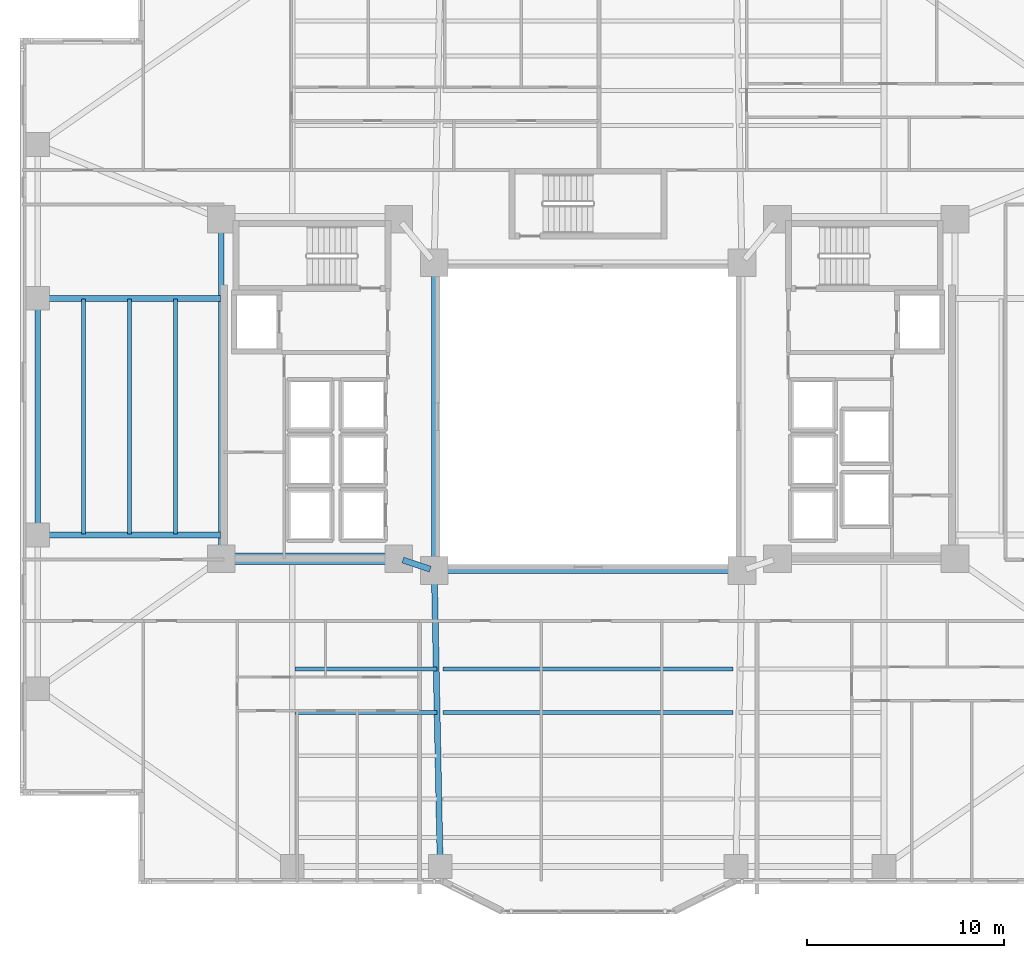
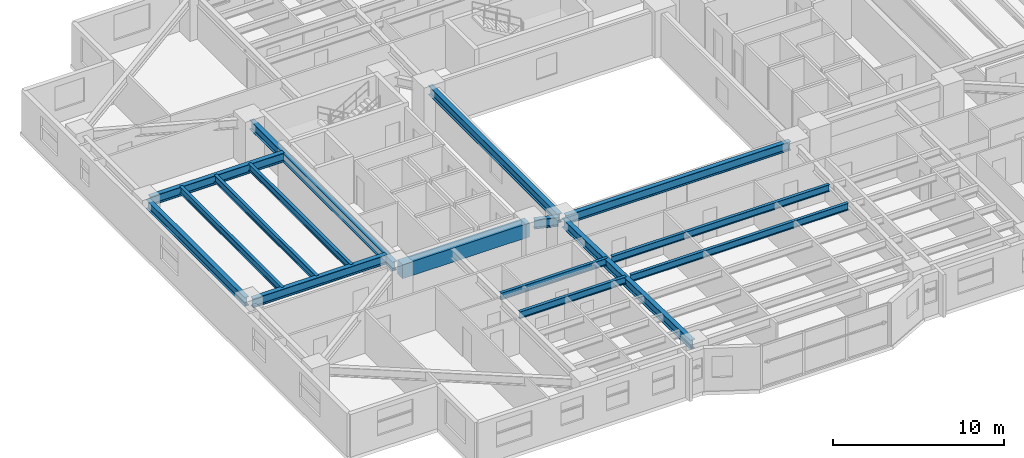
# One storey, part 3 of 20: 16 beams.
"""IFC4 building model written with IfcOpenShell, lengths in metres."""

import ifcopenshell
import ifcopenshell.guid

model = None  # the IFC model being written
_history = None  # IfcOwnerHistory: only IFC2X3 demands one
_inside = {}  # id of a spatial element -> (the spatial element, [elements in it])
_under = {}  # id of a project, library or spatial element -> (it, [spatial elements below it])
_declared = {}  # id of a project -> (the project, [libraries it declares])
_typed = {}  # id of a type object -> (the type object, [elements of that type])
_made_of = {}  # id of a material, layer set ... -> (it, [elements and type objects made of it])


def new_model(schema):
    """Start an empty IFC model of exactly this schema.

    Asked for "IFC4X3", IfcOpenShell would pick the latest addendum, in which some entities
    have other attributes; the version numbers below select the first issue.
    IFC2X3 requires an IfcOwnerHistory on every rooted entity: one is made here for all.
    """
    global model, _history
    if schema == "IFC4X3":
        model = ifcopenshell.file(schema_version=(4, 3, 0, 0))
    else:
        model = ifcopenshell.file(schema=schema)
    _inside.clear()
    _under.clear()
    _declared.clear()
    _typed.clear()
    _made_of.clear()
    _history = None
    if model.schema == "IFC2X3":
        org = make("IfcOrganization", Name="unknown")
        user = make(
            "IfcPersonAndOrganization",
            ThePerson=make("IfcPerson", FamilyName="unknown"),
            TheOrganization=org,
        )
        app = make(
            "IfcApplication",
            ApplicationDeveloper=org,
            Version="unknown",
            ApplicationFullName="unknown",
            ApplicationIdentifier="unknown",
        )
        _history = make(
            "IfcOwnerHistory",
            OwningUser=user,
            OwningApplication=app,
            ChangeAction="ADDED",
            CreationDate=0,
        )
    return model


def make(cls, **values):
    """One entity of the class cls with the attributes given. An attribute that is None is left unset."""
    return model.create_entity(
        cls, **{name: value for name, value in values.items() if value is not None}
    )


def rooted(cls, **values):
    """An entity with a GlobalId (a new one), such as an element, a storey or a relation."""
    return make(cls, GlobalId=ifcopenshell.guid.new(), OwnerHistory=_history, **values)


def si_unit(unit_type, name, prefix=None):
    """IfcSIUnit, for example si_unit("LENGTHUNIT", "METRE", prefix="MILLI")."""
    return make("IfcSIUnit", UnitType=unit_type, Prefix=prefix, Name=name)


def assignment(units):
    """IfcUnitAssignment: the units of a project."""
    return None if units is None else make("IfcUnitAssignment", Units=units)


def point(xyz):
    """IfcCartesianPoint."""
    return None if xyz is None else make("IfcCartesianPoint", Coordinates=xyz)


def direction(xyz):
    """IfcDirection."""
    return None if xyz is None else make("IfcDirection", DirectionRatios=xyz)


def frame(location, z_axis=None, x_axis=None):
    """IfcAxis2Placement3D, a coordinate frame: its origin and axes. An axis left out is left unset."""
    return make(
        "IfcAxis2Placement3D",
        Location=point(location),
        Axis=direction(z_axis),
        RefDirection=direction(x_axis),
    )


def frame_2d(location, x_axis=None):
    """IfcAxis2Placement2D, a coordinate frame in the plane: its origin and x axis."""
    return make(
        "IfcAxis2Placement2D", Location=point(location), RefDirection=direction(x_axis)
    )


def origin():
    """The frame at (0, 0, 0) with its axes left unset."""
    return frame((0.0, 0.0, 0.0))


def origin_2d():
    """The frame at (0, 0) in the plane with its x axis left unset."""
    return frame_2d((0.0, 0.0))


def place(relative_to, where):
    """IfcLocalPlacement: puts the frame where relative to a parent placement (None: the world)."""
    return make(
        "IfcLocalPlacement", PlacementRelTo=relative_to, RelativePlacement=where
    )


def context(
    kind, dimensions, precision=None, world=None, true_north=None, identifier=None
):
    """IfcGeometricRepresentationContext, for example the 3D "Model" context."""
    return make(
        "IfcGeometricRepresentationContext",
        ContextIdentifier=identifier,
        ContextType=kind,
        CoordinateSpaceDimension=dimensions,
        Precision=precision,
        WorldCoordinateSystem=world,
        TrueNorth=true_north,
    )


def subcontext(parent, identifier, kind, view, scale=None):
    """IfcGeometricRepresentationSubContext, for example "Body" below "Model"."""
    return make(
        "IfcGeometricRepresentationSubContext",
        ContextIdentifier=identifier,
        ContextType=kind,
        ParentContext=parent,
        TargetScale=scale,
        TargetView=view,
    )


def project(units=None, contexts=None):
    """IfcProject with its units and contexts."""
    return rooted(
        "IfcProject",
        Name="project",
        RepresentationContexts=contexts,
        UnitsInContext=assignment(units),
    )


def spatial(cls, under=None, at=None, **own):
    """A site, building, storey or space (cls), placed at a placement, below another one or the project."""
    s = rooted(cls, ObjectPlacement=at, **own)
    if under is not None:
        _under.setdefault(under.id(), (under, []))[1].append(s)
    return s


def profile(cls, at=None, kind="AREA", **sizes):
    """A parametric profile (cls). Its sizes go by their IFC names, for example OverallWidth=200.0."""
    return make(cls, ProfileType=kind, Position=at, **sizes)


def rectangle(**sizes):
    """IfcRectangleProfileDef."""
    return profile("IfcRectangleProfileDef", **sizes)


def i_section(**sizes):
    """IfcIShapeProfileDef."""
    return profile("IfcIShapeProfileDef", **sizes)


def extrude(swept, where, along, depth):
    """IfcExtrudedAreaSolid: the profile swept, set in the frame where, extruded along a direction by depth."""
    return make(
        "IfcExtrudedAreaSolid",
        SweptArea=swept,
        Position=where,
        ExtrudedDirection=direction(along),
        Depth=depth,
    )


def shape(context_of_items, identifier, shape_type, items):
    """IfcShapeRepresentation: the items that make up one representation, for example the "Body"."""
    return make(
        "IfcShapeRepresentation",
        ContextOfItems=context_of_items,
        RepresentationIdentifier=identifier,
        RepresentationType=shape_type,
        Items=items,
    )


def material(Name=None, Category=None):
    """IfcMaterial."""
    return make("IfcMaterial", Name=Name, Category=Category)


def material_profile(
    of_material, cross_section, Name=None, Category=None, Priority=None
):
    """IfcMaterialProfile: a cross section and its material."""
    return make(
        "IfcMaterialProfile",
        Name=Name,
        Material=of_material,
        Profile=cross_section,
        Priority=Priority,
        Category=Category,
    )


def profile_set(profiles, Name=None, composite=None):
    """IfcMaterialProfileSet."""
    return make(
        "IfcMaterialProfileSet",
        Name=Name,
        MaterialProfiles=profiles,
        CompositeProfile=composite,
    )


def made_of(thing, what):
    """Note that an element or type object is made of a material, layer set ...; save() writes the relation."""
    if what is not None:
        _made_of.setdefault(what.id(), (what, []))[1].append(thing)
    return thing


def type_object(cls, material=None, **own):
    """A type object (cls), such as IfcWallType, which elements share."""
    return made_of(rooted(cls, **own), material)


def element(
    cls,
    number,
    at=None,
    inside=None,
    cuts=None,
    type_object=None,
    material=None,
    context=None,
    identifier="Body",
    shape_type=None,
    held_by="IfcProductDefinitionShape",
    body=None,
    shapes=None,
    **own,
):
    """One element of the class cls, such as IfcWall. Its Tag is "e" and its number.

    at: its placement. inside: the storey or other place that contains it. cuts: it is an
    opening in that element (IfcRelVoidsElement). A single representation is given by context,
    identifier, shape_type and body (its items); several are given by shapes. held_by: the class
    of the entity that holds the representations. save() writes the other relations.
    """
    e = rooted(cls, Tag="e%d" % number, ObjectPlacement=at, **own)
    if body is not None:
        shapes = [shape(context, identifier, shape_type, body)]
    if shapes is not None:
        e.Representation = make(held_by, Representations=shapes)
    if inside is not None:
        _inside.setdefault(inside.id(), (inside, []))[1].append(e)
    if cuts is not None:
        rooted(
            "IfcRelVoidsElement", RelatingBuildingElement=cuts, RelatedOpeningElement=e
        )
    if type_object is not None:
        _typed.setdefault(type_object.id(), (type_object, []))[1].append(e)
    return made_of(e, material)


def aggregate(whole, parts):
    """IfcRelAggregates: a whole, such as a stair, and the parts it consists of."""
    return rooted("IfcRelAggregates", RelatingObject=whole, RelatedObjects=parts)


def save(model, path):
    """Write the relations noted so far, then the file.

    IfcRelAggregates (storeys below a building ...), IfcRelContainedInSpatialStructure (elements
    in a storey), IfcRelDefinesByType, IfcRelAssociatesMaterial and IfcRelDeclares: one each for
    every whole, place, type object, material and project.
    """
    for whole, parts in _under.values():
        aggregate(whole, parts)
    for where, things in _inside.values():
        rooted(
            "IfcRelContainedInSpatialStructure",
            RelatedElements=things,
            RelatingStructure=where,
        )
    for kind, things in _typed.values():
        rooted("IfcRelDefinesByType", RelatedObjects=things, RelatingType=kind)
    for what, things in _made_of.values():
        rooted("IfcRelAssociatesMaterial", RelatedObjects=things, RelatingMaterial=what)
    for by, libraries in _declared.values():
        rooted("IfcRelDeclares", RelatingContext=by, RelatedDefinitions=libraries)
    model.write(path)


model = new_model("IFC4")

# Units and contexts
model_context = context("Model", 3, precision=1e-05, world=origin(), true_north=direction((0.0, 1.0)))
body_context = subcontext(model_context, "Body", "Model", "MODEL_VIEW")
ifc_project = project(units=[si_unit("LENGTHUNIT", "METRE"), si_unit("AREAUNIT", "SQUARE_METRE"), si_unit("VOLUMEUNIT", "CUBIC_METRE"), si_unit("PLANEANGLEUNIT", "RADIAN"), si_unit("MASSUNIT", "GRAM", prefix="KILO")], contexts=[model_context])

# Site, building, storey
site_placement = place(None, origin())
site = spatial("IfcSite", under=ifc_project, at=site_placement, CompositionType="ELEMENT")
building_placement = place(site_placement, origin())
building = spatial("IfcBuilding", under=site, at=building_placement, Name="Tarnavaz Court Tower", CompositionType="ELEMENT")
storey_placement = place(building_placement, frame((0.0, 0.0, 60.85009765625)))
storey = spatial("IfcBuildingStorey", under=building, at=storey_placement, Name="L16", CompositionType="ELEMENT", Elevation=60.85009765625)

# Beams
ifc_material_1 = material(Name="Concrete C60/75", Category="concrete")
ifc_material_profile_1 = material_profile(ifc_material_1, rectangle(XDim=0.60009765625, YDim=1.0, at=origin_2d()), Name="RC 600X1000")
ifc_profile_set_1 = profile_set([ifc_material_profile_1], Name="Concrete C60/75")
beam_type_1 = type_object("IfcBeamType", Name="BM-CB1000", PredefinedType="LINTEL", material=ifc_profile_set_1)
beam_1_placement = place(storey_placement, frame((-18.3798828125, -7.199951171875, 2.5498046875), z_axis=(1.0, 0.0, 0.0), x_axis=(0.0, 1.0, 0.0)))
element("IfcBeam", 1, at=beam_1_placement, inside=storey, type_object=beam_type_1, Name="L16 Beam IN-CW-SO-CW-SI", PredefinedType="LINTEL", context=body_context, shape_type="SweptSolid", body=[
    extrude(rectangle(XDim=0.60009765625, YDim=1.0, at=origin_2d()), origin(), (0.0, 0.0, 1.0), 8.559814453125),
])
ifc_material_2 = material(Name="Steel S355", Category="steel")
ifc_material_profile_2 = material_profile(ifc_material_2, i_section(OverallWidth=0.300048828125, OverallDepth=0.64990234375, WebThickness=0.01611328125, FlangeThickness=0.031005859375, FilletRadius=0.027099609375, at=origin_2d()), Name="HEB 650")
ifc_profile_set_2 = profile_set([ifc_material_profile_2], Name="Steel S355")
beam_type_2 = type_object("IfcBeamType", Name="BM-G-HEB650", PredefinedType="USERDEFINED", material=ifc_profile_set_2)
beam_2_placement = place(storey_placement, frame((-9.391357421875, -7.26953125, 2.724853515625), z_axis=(0.948666544706, -0.316278021615, 0.0), x_axis=(0.316278021615, 0.948666544706, 0.0)))
element("IfcBeam", 2, at=beam_2_placement, inside=storey, type_object=beam_type_2, Name="L16 Beam IN-CW-SI-IW-SW", ObjectType="GIRDER", PredefinedType="USERDEFINED", context=body_context, shape_type="SweptSolid", body=[
    extrude(i_section(OverallWidth=0.300048828125, OverallDepth=0.64990234375, WebThickness=0.01611328125, FlangeThickness=0.031005859375, FilletRadius=0.027099609375, at=origin_2d()), origin(), (0.0, 0.0, 1.0), 1.457275390625),
])
beam_3_placement = place(storey_placement, frame((-18.60009765625, -6.97998046875, 2.724853515625), z_axis=(0.0, 1.0, 0.0), x_axis=(-1.0, 0.0, 0.0)))
element("IfcBeam", 3, at=beam_3_placement, inside=storey, type_object=beam_type_2, Name="L16 Beam IN-CW-SO-CW-NO", ObjectType="GIRDER", PredefinedType="USERDEFINED", context=body_context, shape_type="SweptSolid", body=[
    extrude(i_section(OverallWidth=0.300048828125, OverallDepth=0.64990234375, WebThickness=0.01611328125, FlangeThickness=0.031005859375, FilletRadius=0.027099609375, at=origin_2d()), origin(), (0.0, 0.0, 1.0), 16.760009765625),
])
beam_4_placement = place(storey_placement, frame((-7.795654296875, -8.02001953125, 2.724853515625), z_axis=(0.020000023066, -0.999799979535, 0.0), x_axis=(0.999799979535, 0.020000023066, 0.0)))
element("IfcBeam", 4, at=beam_4_placement, inside=storey, type_object=beam_type_2, Name="L16 Beam RG-06", ObjectType="GIRDER", PredefinedType="USERDEFINED", context=body_context, shape_type="SweptSolid", body=[
    extrude(i_section(OverallWidth=0.300048828125, OverallDepth=0.64990234375, WebThickness=0.01611328125, FlangeThickness=0.031005859375, FilletRadius=0.027099609375, at=origin_2d()), origin(), (0.0, 0.0, 1.0), 14.56298828125),
])
for number, where, z_axis, x_axis, name in (
    (5, (-18.639892578125, -6.0, 2.724853515625), (-1.0, 0.0, 0.0), (0.0, -1.0, 0.0), "L16 Beam RG-13"),
    (6, (-18.639892578125, 6.0, 2.724853515625), (-1.0, 0.0, 0.0), (0.0, -1.0, 0.0), "L16 Beam RG-14"),
):
    element("IfcBeam", number, at=place(storey_placement, frame(where, z_axis=z_axis, x_axis=x_axis)), inside=storey, type_object=beam_type_2, Name=name, ObjectType="GIRDER", PredefinedType="USERDEFINED", context=body_context, shape_type="SweptSolid", body=[
        extrude(i_section(OverallWidth=0.300048828125, OverallDepth=0.64990234375, WebThickness=0.01611328125, FlangeThickness=0.031005859375, FilletRadius=0.027099609375, at=origin_2d()), origin(), (0.0, 0.0, 1.0), 9.0400390625),
    ])
ifc_material_profile_3 = material_profile(ifc_material_2, i_section(OverallWidth=0.199951171875, OverallDepth=0.5, WebThickness=0.01025390625, FlangeThickness=0.01611328125, FilletRadius=0.02099609375, at=origin_2d()), Name="IPE 500")
ifc_profile_set_3 = profile_set([ifc_material_profile_3], Name="Steel S355")
beam_type_3 = type_object("IfcBeamType", Name="BM-J-IPE500", PredefinedType="JOIST", material=ifc_profile_set_3)
beam_5_placement = place(storey_placement, frame((-14.85009765625, -12.7958984375, 2.7998046875), z_axis=(1.0, 0.0, 0.0), x_axis=(0.0, 1.0, 0.0)))
element("IfcBeam", 7, at=beam_5_placement, inside=storey, type_object=beam_type_3, Name="L16 Beam JS1-1", PredefinedType="JOIST", context=body_context, shape_type="SweptSolid", body=[
    extrude(i_section(OverallWidth=0.199951171875, OverallDepth=0.5, WebThickness=0.01025390625, FlangeThickness=0.01611328125, FilletRadius=0.02099609375, at=origin_2d()), origin(), (0.0, 0.0, 1.0), 7.2001953125),
])
beam_6_placement = place(storey_placement, frame((-7.35009765625, -12.7958984375, 2.7998046875), z_axis=(1.0, 0.0, 0.0), x_axis=(0.0, 1.0, 0.0)))
element("IfcBeam", 8, at=beam_6_placement, inside=storey, type_object=beam_type_3, Name="L16 Beam JS1-2", PredefinedType="JOIST", context=body_context, shape_type="SweptSolid", body=[
    extrude(i_section(OverallWidth=0.199951171875, OverallDepth=0.5, WebThickness=0.01025390625, FlangeThickness=0.01611328125, FilletRadius=0.02099609375, at=origin_2d()), origin(), (0.0, 0.0, 1.0), 14.7001953125),
])
beam_7_placement = place(storey_placement, frame((-14.85009765625, -14.991943359375, 2.7998046875), z_axis=(1.0, 0.0, 0.0), x_axis=(0.0, 1.0, 0.0)))
element("IfcBeam", 9, at=beam_7_placement, inside=storey, type_object=beam_type_3, Name="L16 Beam JS2-1", PredefinedType="JOIST", context=body_context, shape_type="SweptSolid", body=[
    extrude(i_section(OverallWidth=0.199951171875, OverallDepth=0.5, WebThickness=0.01025390625, FlangeThickness=0.01611328125, FilletRadius=0.02099609375, at=origin_2d()), origin(), (0.0, 0.0, 1.0), 7.2001953125),
])
beam_8_placement = place(storey_placement, frame((-7.35009765625, -14.991943359375, 2.7998046875), z_axis=(1.0, 0.0, 0.0), x_axis=(0.0, 1.0, 0.0)))
element("IfcBeam", 10, at=beam_8_placement, inside=storey, type_object=beam_type_3, Name="L16 Beam JS2-2", PredefinedType="JOIST", context=body_context, shape_type="SweptSolid", body=[
    extrude(i_section(OverallWidth=0.199951171875, OverallDepth=0.5, WebThickness=0.01025390625, FlangeThickness=0.01611328125, FilletRadius=0.02099609375, at=origin_2d()), origin(), (0.0, 0.0, 1.0), 14.7001953125),
])
for number, where, z_axis, x_axis, name in (
    (11, (-20.925048828125, -5.9599609375, 2.7998046875), (0.0, 1.0, 0.0), (-1.0, 0.0, 0.0), "L16 Beam JW1"),
    (12, (-23.25, -5.9599609375, 2.7998046875), (0.0, 1.0, 0.0), (-1.0, 0.0, 0.0), "L16 Beam JW2"),
    (13, (-25.574951171875, -5.9599609375, 2.7998046875), (0.0, 1.0, 0.0), (-1.0, 0.0, 0.0), "L16 Beam JW3"),
):
    element("IfcBeam", number, at=place(storey_placement, frame(where, z_axis=z_axis, x_axis=x_axis)), inside=storey, type_object=beam_type_3, Name=name, PredefinedType="JOIST", context=body_context, shape_type="SweptSolid", body=[
        extrude(i_section(OverallWidth=0.199951171875, OverallDepth=0.5, WebThickness=0.01025390625, FlangeThickness=0.01611328125, FilletRadius=0.02099609375, at=origin_2d()), origin(), (0.0, 0.0, 1.0), 11.919921875),
    ])
ifc_material_profile_4 = material_profile(ifc_material_2, i_section(OverallWidth=0.300048828125, OverallDepth=0.639892578125, WebThickness=0.013427734375, FlangeThickness=0.02587890625, FilletRadius=0.027099609375, at=origin_2d()), Name="HEA 650")
ifc_profile_set_4 = profile_set([ifc_material_profile_4], Name="Steel S355")
beam_type_4 = type_object("IfcBeamType", Name="BM-SP-HEA650", PredefinedType="SPANDREL", material=ifc_profile_set_4)
for number, where, z_axis, x_axis, name in (
    (14, (-7.580078125, -7.800048828125, 2.72998046875), (1.0, 0.0, 0.0), (0.0, 1.0, 0.0), "L16 Beam IN-IW-SW-IW-SE"),
    (15, (-7.800048828125, -7.580078125, 2.72998046875), (0.0, 1.0, 0.0), (-1.0, 0.0, 0.0), "L16 Beam IN-IW-SW-IW-NW"),
):
    element("IfcBeam", number, at=place(storey_placement, frame(where, z_axis=z_axis, x_axis=x_axis)), inside=storey, type_object=beam_type_4, Name=name, PredefinedType="SPANDREL", context=body_context, shape_type="SweptSolid", body=[
        extrude(i_section(OverallWidth=0.300048828125, OverallDepth=0.639892578125, WebThickness=0.013427734375, FlangeThickness=0.02587890625, FilletRadius=0.027099609375, at=origin_2d()), origin(), (0.0, 0.0, 1.0), 15.16015625),
    ])
beam_9_placement = place(storey_placement, frame((-27.89990234375, -5.780029296875, 2.72998046875), z_axis=(0.0, 1.0, 0.0), x_axis=(-1.0, 0.0, 0.0)))
element("IfcBeam", 16, at=beam_9_placement, inside=storey, type_object=beam_type_4, Name="L16 Beam PR-PW-2-PW-3", PredefinedType="SPANDREL", context=body_context, shape_type="SweptSolid", body=[
    extrude(i_section(OverallWidth=0.300048828125, OverallDepth=0.639892578125, WebThickness=0.013427734375, FlangeThickness=0.02587890625, FilletRadius=0.027099609375, at=origin_2d()), origin(), (0.0, 0.0, 1.0), 11.56005859375),
])

save(model, "model.ifc")
